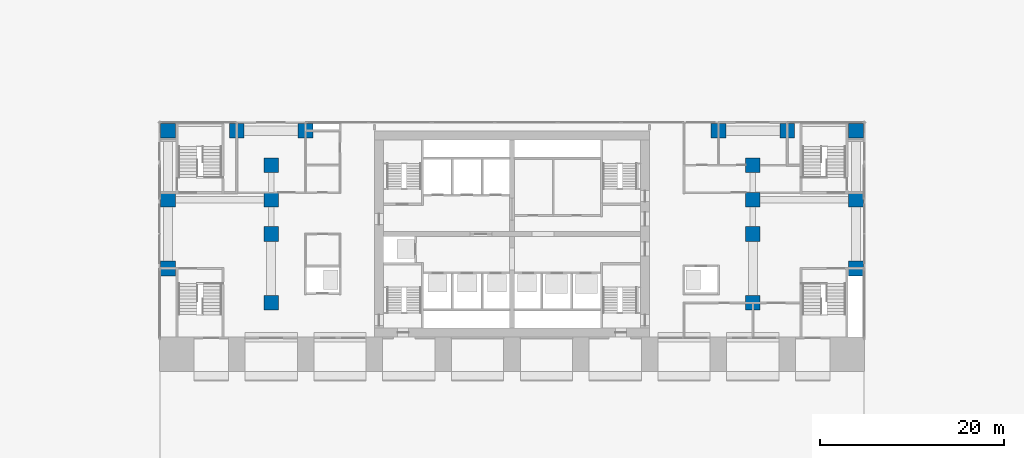
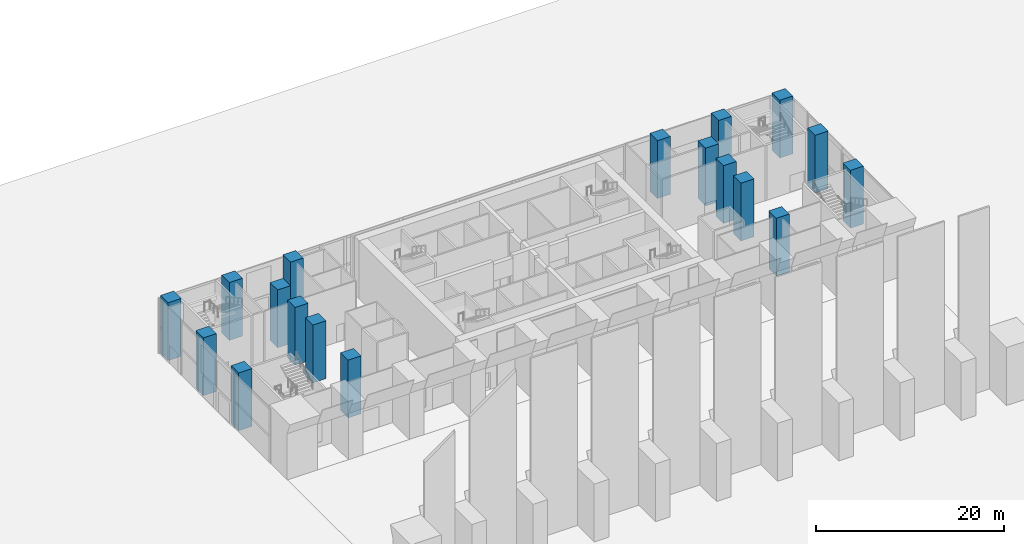
# One storey, part 1 of 21: 18 columns.
"""IFC4 building model written with IfcOpenShell, lengths in metres."""

from ifc_helpers import new_model, si_unit, direction, frame, origin, origin_2d, place, context, subcontext, project, spatial, rectangle, extrude, material, material_profile, profile_set, type_object, element, save


model = new_model("IFC4")

# Units and contexts
model_context = context("Model", 3, precision=1e-05, world=origin(), true_north=direction((0.0, 1.0)))
body_context = subcontext(model_context, "Body", "Model", "MODEL_VIEW")
ifc_project = project(units=[si_unit("LENGTHUNIT", "METRE"), si_unit("AREAUNIT", "SQUARE_METRE"), si_unit("VOLUMEUNIT", "CUBIC_METRE"), si_unit("PLANEANGLEUNIT", "RADIAN"), si_unit("MASSUNIT", "GRAM", prefix="KILO")], contexts=[model_context])

# Site, building, storey
site_placement = place(None, origin())
site = spatial("IfcSite", under=ifc_project, at=site_placement, CompositionType="ELEMENT")
building_placement = place(site_placement, origin())
building = spatial("IfcBuilding", under=site, at=building_placement, Name="Pilkhan Gate Tower", CompositionType="ELEMENT")
storey_placement = place(building_placement, origin())
storey = spatial("IfcBuildingStorey", under=building, at=storey_placement, Name="L00", CompositionType="ELEMENT", Elevation=0.0)

# Columns
ifc_material = material(Name="Concrete C70/85", Category="concrete")
ifc_material_profile = material_profile(ifc_material, rectangle(XDim=1.60009765625, YDim=1.60009765625, at=origin_2d()), Name="RC 1600x1600")
ifc_profile_set = profile_set([ifc_material_profile], Name="Concrete C70/85")
column_type = type_object("IfcColumnType", Name="Column C160 RC 1600x1600 C70/85", PredefinedType="COLUMN", material=ifc_profile_set)
for number, where, z_axis, x_axis, name in (
    (1, (37.5, 78.75, 0.0), (0.0, 0.0, 1.0), (1.0, 0.0, 0.0), "Column 1/L L00"),
    (2, (37.5, 86.25, 0.0), (0.0, 0.0, 1.0), (1.0, 0.0, 0.0), "Column 1/N L00"),
    (3, (37.5, 93.75, 0.0), (0.0, 0.0, 1.0), (1.0, 0.0, 0.0), "Column 1/Q L00"),
    (4, (45.0, 93.75, 0.0), (0.0, 0.0, 1.0), (1.0, 0.0, 0.0), "Column 3/Q L00"),
    (5, (48.75, 75.0, 0.0), (0.0, 0.0, 1.0), (1.0, 0.0, 0.0), "Column 4/K L00"),
    (6, (48.75, 82.5, 0.0), (0.0, 0.0, 1.0), (1.0, 0.0, 0.0), "Column 4/M L00"),
    (7, (48.75, 86.25, 0.0), (0.0, 0.0, 1.0), (1.0, 0.0, 0.0), "Column 4/N L00"),
    (8, (48.75, 90.0, 0.0), (0.0, 0.0, 1.0), (1.0, 0.0, 0.0), "Column 4/P L00"),
    (9, (52.5, 93.75, 0.0), (0.0, 0.0, 1.0), (1.0, 0.0, 0.0), "Column 5/Q L00"),
    (10, (97.5, 93.75, 0.0), (0.0, 0.0, 1.0), (1.0, 0.0, 0.0), "Column 17/Q L00"),
    (11, (101.25, 75.0, 0.0), (0.0, 0.0, 1.0), (1.0, 0.0, 0.0), "Column 18/K L00"),
    (12, (101.25, 82.5, 0.0), (0.0, 0.0, 1.0), (1.0, 0.0, 0.0), "Column 18/M L00"),
    (13, (101.25, 86.25, 0.0), (0.0, 0.0, 1.0), (1.0, 0.0, 0.0), "Column 18/N L00"),
    (14, (101.25, 90.0, 0.0), (0.0, 0.0, 1.0), (1.0, 0.0, 0.0), "Column 18/P L00"),
    (15, (105.0, 93.75, 0.0), (0.0, 0.0, 1.0), (1.0, 0.0, 0.0), "Column 19/Q L00"),
    (16, (112.5, 78.75, 0.0), (0.0, 0.0, 1.0), (1.0, 0.0, 0.0), "Column 21/L L00"),
    (17, (112.5, 86.25, 0.0), (0.0, 0.0, 1.0), (1.0, 0.0, 0.0), "Column 21/N L00"),
    (18, (112.5, 93.75, 0.0), (0.0, 0.0, 1.0), (1.0, 0.0, 0.0), "Column 21/Q L00"),
):
    element("IfcColumn", number, at=place(storey_placement, frame(where, z_axis=z_axis, x_axis=x_axis)), inside=storey, type_object=column_type, Name=name, PredefinedType="COLUMN", context=body_context, shape_type="SweptSolid", body=[
        extrude(rectangle(XDim=1.60009765625, YDim=1.60009765625, at=origin_2d()), origin(), (0.0, 0.0, 1.0), 7.5),
    ])

save(model, "model.ifc")
